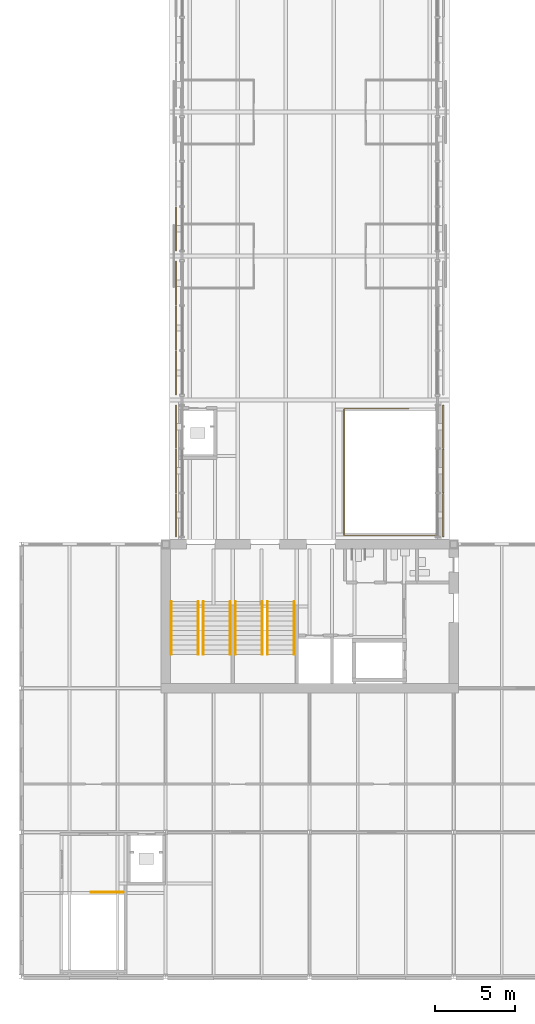
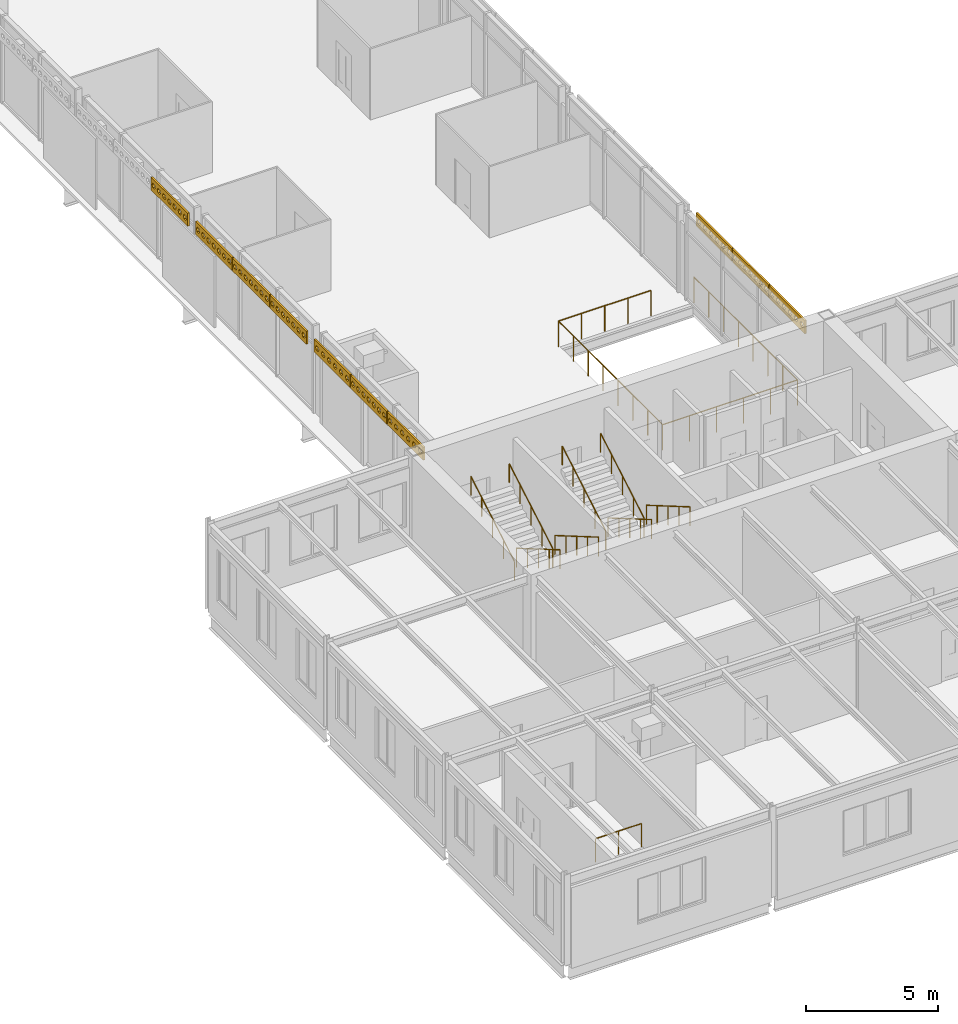
# One storey, part 100 of 123: 10 railings, 10 shading devices.
"""IFC4 building model written with IfcOpenShell, lengths in metres."""

from ifc_helpers import new_model, si_unit, direction, frame, origin, origin_2d, place, context, subcontext, project, spatial, polyline, circle, outline, extrude, material, layer, layer_set, type_object, element, save


model = new_model("IFC4")

# Units and contexts
model_context = context("Model", 3, precision=1e-05, world=origin(), true_north=direction((0.0, 1.0)))
body_context = subcontext(model_context, "Body", "Model", "MODEL_VIEW")
ifc_project = project(units=[si_unit("LENGTHUNIT", "METRE"), si_unit("AREAUNIT", "SQUARE_METRE"), si_unit("VOLUMEUNIT", "CUBIC_METRE"), si_unit("PLANEANGLEUNIT", "RADIAN"), si_unit("MASSUNIT", "GRAM", prefix="KILO")], contexts=[model_context])

# Site, building, storey
site_placement = place(None, origin())
site = spatial("IfcSite", under=ifc_project, at=site_placement, CompositionType="ELEMENT")
building_placement = place(site_placement, origin())
building = spatial("IfcBuilding", under=site, at=building_placement, Name="Baradari Gate Terminus", CompositionType="ELEMENT")
storey_placement = place(building_placement, frame((0.0, 0.0, 7.5)))
storey = spatial("IfcBuildingStorey", under=building, at=storey_placement, Name="L01", CompositionType="ELEMENT", Elevation=7.5)

# Railings
ifc_material_1 = material(Name="Stainless steel 1.4301", Category="steel")
railing_type_1 = type_object("IfcRailingType", Name="Guard GR-1 1100", PredefinedType="GUARDRAIL", material=ifc_material_1)
railing_1_placement = place(storey_placement, frame((69.35009765625, 14.25, 0.0)))
element("IfcRailing", 1, at=railing_1_placement, inside=storey, type_object=railing_type_1, Name="Stair guard ST-SW1 at L01 top landing", PredefinedType="GUARDRAIL", context=body_context, shape_type="SweptSolid", body=[
    extrude(circle(Radius=0.02392578125, at=origin_2d()), frame((0.0, 0.0, 1.076171875), z_axis=(-1.0, 0.0, 0.0), x_axis=(0.0, -1.0, 0.0)), (0.0, 0.0, 1.0), 2.010009765625),
    extrude(circle(Radius=0.02099609375, at=origin_2d()), origin(), (0.0, 0.0, 1.0), 1.052001953125),
    extrude(circle(Radius=0.02099609375, at=origin_2d()), frame((-1.0048828125, 0.0, 0.0)), (0.0, 0.0, 1.0), 1.052001953125),
    extrude(circle(Radius=0.02099609375, at=origin_2d()), frame((-2.010009765625, 0.0, 0.0)), (0.0, 0.0, 1.0), 1.052001953125),
])
ifc_material_2 = material(Name="Stainless steel 1.4301", Category="steel")
railing_type_2 = type_object("IfcRailingType", Name="Guard GR-2 1200", PredefinedType="GUARDRAIL", material=ifc_material_2)
railing_2_placement = place(storey_placement, frame((89.050048828125, 44.39990234375, 0.0)))
element("IfcRailing", 2, at=railing_2_placement, inside=storey, type_object=railing_type_2, Name="Guard round the stair opening PS-1 at L01", PredefinedType="GUARDRAIL", context=body_context, shape_type="SweptSolid", body=[
    extrude(circle(Radius=0.02392578125, at=origin_2d()), frame((0.0, 0.0, 1.17578125), z_axis=(0.0, -1.0, 0.0), x_axis=(1.0, 0.0, 0.0)), (0.0, 0.0, 1.0), 7.849853515625),
    extrude(circle(Radius=0.02392578125, at=origin_2d()), frame((0.0, -7.849853515625, 1.17578125), z_axis=(-1.0, 0.0, 0.0), x_axis=(0.0, -1.0, 0.0)), (0.0, 0.0, 1.0), 5.900146484375),
    extrude(circle(Radius=0.02392578125, at=origin_2d()), frame((-5.900146484375, -7.849853515625, 1.17578125), z_axis=(0.0, 1.0, 0.0), x_axis=(-1.0, 0.0, 0.0)), (0.0, 0.0, 1.0), 7.89990234375),
    extrude(circle(Radius=0.02392578125, at=origin_2d()), frame((-5.900146484375, 0.050048828125, 1.17578125), z_axis=(1.0, 0.0, 0.0), x_axis=(0.0, 1.0, 0.0)), (0.0, 0.0, 1.0), 4.050048828125),
    extrude(circle(Radius=0.02099609375, at=origin_2d()), origin(), (0.0, 0.0, 1.0), 1.15185546875),
    extrude(circle(Radius=0.02099609375, at=origin_2d()), frame((0.0, -1.121337890625, 0.0)), (0.0, 0.0, 1.0), 1.15185546875),
    extrude(circle(Radius=0.02099609375, at=origin_2d()), frame((0.0, -2.242919921875, 0.0)), (0.0, 0.0, 1.0), 1.15185546875),
    extrude(circle(Radius=0.02099609375, at=origin_2d()), frame((0.0, -3.3642578125, 0.0)), (0.0, 0.0, 1.0), 1.15185546875),
    extrude(circle(Radius=0.02099609375, at=origin_2d()), frame((0.0, -4.485595703125, 0.0)), (0.0, 0.0, 1.0), 1.15185546875),
    extrude(circle(Radius=0.02099609375, at=origin_2d()), frame((0.0, -5.60693359375, 0.0)), (0.0, 0.0, 1.0), 1.15185546875),
    extrude(circle(Radius=0.02099609375, at=origin_2d()), frame((0.0, -6.728515625, 0.0)), (0.0, 0.0, 1.0), 1.15185546875),
    extrude(circle(Radius=0.02099609375, at=origin_2d()), frame((0.0, -7.849853515625, 0.0)), (0.0, 0.0, 1.0), 1.15185546875),
    extrude(circle(Radius=0.02099609375, at=origin_2d()), frame((-1.179931640625, -7.849853515625, 0.0)), (0.0, 0.0, 1.0), 1.15185546875),
    extrude(circle(Radius=0.02099609375, at=origin_2d()), frame((-2.360107421875, -7.849853515625, 0.0)), (0.0, 0.0, 1.0), 1.15185546875),
    extrude(circle(Radius=0.02099609375, at=origin_2d()), frame((-3.5400390625, -7.849853515625, 0.0)), (0.0, 0.0, 1.0), 1.15185546875),
    extrude(circle(Radius=0.02099609375, at=origin_2d()), frame((-4.72021484375, -7.849853515625, 0.0)), (0.0, 0.0, 1.0), 1.15185546875),
    extrude(circle(Radius=0.02099609375, at=origin_2d()), frame((-5.900146484375, -7.849853515625, 0.0)), (0.0, 0.0, 1.0), 1.15185546875),
    extrude(circle(Radius=0.02099609375, at=origin_2d()), frame((-5.900146484375, -6.72119140625, 0.0)), (0.0, 0.0, 1.0), 1.15185546875),
    extrude(circle(Radius=0.02099609375, at=origin_2d()), frame((-5.900146484375, -5.5927734375, 0.0)), (0.0, 0.0, 1.0), 1.15185546875),
    extrude(circle(Radius=0.02099609375, at=origin_2d()), frame((-5.900146484375, -4.464111328125, 0.0)), (0.0, 0.0, 1.0), 1.15185546875),
    extrude(circle(Radius=0.02099609375, at=origin_2d()), frame((-5.900146484375, -3.335693359375, 0.0)), (0.0, 0.0, 1.0), 1.15185546875),
    extrude(circle(Radius=0.02099609375, at=origin_2d()), frame((-5.900146484375, -2.20703125, 0.0)), (0.0, 0.0, 1.0), 1.15185546875),
    extrude(circle(Radius=0.02099609375, at=origin_2d()), frame((-5.900146484375, -1.07861328125, 0.0)), (0.0, 0.0, 1.0), 1.15185546875),
    extrude(circle(Radius=0.02099609375, at=origin_2d()), frame((-5.900146484375, 0.050048828125, 0.0)), (0.0, 0.0, 1.0), 1.15185546875),
    extrude(circle(Radius=0.02099609375, at=origin_2d()), frame((-4.8876953125, 0.050048828125, 0.0)), (0.0, 0.0, 1.0), 1.15185546875),
    extrude(circle(Radius=0.02099609375, at=origin_2d()), frame((-3.875, 0.050048828125, 0.0)), (0.0, 0.0, 1.0), 1.15185546875),
    extrude(circle(Radius=0.02099609375, at=origin_2d()), frame((-2.862548828125, 0.050048828125, 0.0)), (0.0, 0.0, 1.0), 1.15185546875),
    extrude(circle(Radius=0.02099609375, at=origin_2d()), frame((-1.85009765625, 0.050048828125, 0.0)), (0.0, 0.0, 1.0), 1.15185546875),
])
ifc_material_3 = material(Name="Stainless steel 1.4301", Category="steel")
railing_type_3 = type_object("IfcRailingType", Name="Handrail HR-1 900", PredefinedType="HANDRAIL", material=ifc_material_3)
for number, where, name in (
    (3, (76.0400390625, 32.39990234375, 0.175048828125), "Handrail ST-GS1 L01 flight 1"),
    (4, (74.360107421875, 32.39990234375, 0.175048828125), "Handrail ST-GS1 L01 flight 1"),
):
    element("IfcRailing", number, at=place(storey_placement, frame(where)), inside=storey, type_object=railing_type_3, Name=name, PredefinedType="HANDRAIL", context=body_context, shape_type="SweptSolid", body=[
        extrude(circle(Radius=0.02392578125, at=origin_2d()), frame((0.0, 0.0, 0.8759765625), z_axis=(0.0, -0.863760357493, 0.503902812876), x_axis=(1.0, 0.0, 0.0)), (0.0, 0.0, 1.0), 3.8203125),
        extrude(circle(Radius=0.02099609375, at=origin_2d()), origin(), (0.0, 0.0, 1.0), 0.851806640625),
        extrude(circle(Radius=0.02099609375, at=origin_2d()), frame((0.0, -0.824951171875, 0.481201171875)), (0.0, 0.0, 1.0), 0.851806640625),
        extrude(circle(Radius=0.02099609375, at=origin_2d()), frame((0.0, -1.64990234375, 0.96240234375)), (0.0, 0.0, 1.0), 0.851806640625),
        extrude(circle(Radius=0.02099609375, at=origin_2d()), frame((0.0, -2.474853515625, 1.44384765625)), (0.0, 0.0, 1.0), 0.851806640625),
        extrude(circle(Radius=0.02099609375, at=origin_2d()), frame((0.0, -3.2998046875, 1.925048828125)), (0.0, 0.0, 1.0), 0.851806640625),
    ])
for number, where, name in (
    (5, (74.0400390625, 29.10009765625, 2.27490234375), "Handrail ST-GS1 L01 flight 2"),
    (6, (72.360107421875, 29.10009765625, 2.27490234375), "Handrail ST-GS1 L01 flight 2"),
):
    element("IfcRailing", number, at=place(storey_placement, frame(where)), inside=storey, type_object=railing_type_3, Name=name, PredefinedType="HANDRAIL", context=body_context, shape_type="SweptSolid", body=[
        extrude(circle(Radius=0.02392578125, at=origin_2d()), frame((0.0, 0.0, 0.8759765625), z_axis=(0.0, 0.863760357493, 0.503902812876), x_axis=(-1.0, 0.0, 0.0)), (0.0, 0.0, 1.0), 3.8203125),
        extrude(circle(Radius=0.02099609375, at=origin_2d()), origin(), (0.0, 0.0, 1.0), 0.851806640625),
        extrude(circle(Radius=0.02099609375, at=origin_2d()), frame((0.0, 0.824951171875, 0.481201171875)), (0.0, 0.0, 1.0), 0.851806640625),
        extrude(circle(Radius=0.02099609375, at=origin_2d()), frame((0.0, 1.64990234375, 0.96240234375)), (0.0, 0.0, 1.0), 0.851806640625),
        extrude(circle(Radius=0.02099609375, at=origin_2d()), frame((0.0, 2.474853515625, 1.44384765625)), (0.0, 0.0, 1.0), 0.851806640625),
        extrude(circle(Radius=0.02099609375, at=origin_2d()), frame((0.0, 3.2998046875, 1.925048828125)), (0.0, 0.0, 1.0), 0.851806640625),
    ])
for number, where, name in (
    (7, (80.0400390625, 32.39990234375, 0.175048828125), "Handrail ST-GS2 L01 flight 1"),
    (8, (78.360107421875, 32.39990234375, 0.175048828125), "Handrail ST-GS2 L01 flight 1"),
):
    element("IfcRailing", number, at=place(storey_placement, frame(where)), inside=storey, type_object=railing_type_3, Name=name, PredefinedType="HANDRAIL", context=body_context, shape_type="SweptSolid", body=[
        extrude(circle(Radius=0.02392578125, at=origin_2d()), frame((0.0, 0.0, 0.8759765625), z_axis=(0.0, -0.863760357493, 0.503902812876), x_axis=(1.0, 0.0, 0.0)), (0.0, 0.0, 1.0), 3.8203125),
        extrude(circle(Radius=0.02099609375, at=origin_2d()), origin(), (0.0, 0.0, 1.0), 0.851806640625),
        extrude(circle(Radius=0.02099609375, at=origin_2d()), frame((0.0, -0.824951171875, 0.481201171875)), (0.0, 0.0, 1.0), 0.851806640625),
        extrude(circle(Radius=0.02099609375, at=origin_2d()), frame((0.0, -1.64990234375, 0.96240234375)), (0.0, 0.0, 1.0), 0.851806640625),
        extrude(circle(Radius=0.02099609375, at=origin_2d()), frame((0.0, -2.474853515625, 1.44384765625)), (0.0, 0.0, 1.0), 0.851806640625),
        extrude(circle(Radius=0.02099609375, at=origin_2d()), frame((0.0, -3.2998046875, 1.925048828125)), (0.0, 0.0, 1.0), 0.851806640625),
    ])
for number, where, name in (
    (9, (78.0400390625, 29.10009765625, 2.27490234375), "Handrail ST-GS2 L01 flight 2"),
    (10, (76.360107421875, 29.10009765625, 2.27490234375), "Handrail ST-GS2 L01 flight 2"),
):
    element("IfcRailing", number, at=place(storey_placement, frame(where)), inside=storey, type_object=railing_type_3, Name=name, PredefinedType="HANDRAIL", context=body_context, shape_type="SweptSolid", body=[
        extrude(circle(Radius=0.02392578125, at=origin_2d()), frame((0.0, 0.0, 0.8759765625), z_axis=(0.0, 0.863760357493, 0.503902812876), x_axis=(-1.0, 0.0, 0.0)), (0.0, 0.0, 1.0), 3.8203125),
        extrude(circle(Radius=0.02099609375, at=origin_2d()), origin(), (0.0, 0.0, 1.0), 0.851806640625),
        extrude(circle(Radius=0.02099609375, at=origin_2d()), frame((0.0, 0.824951171875, 0.481201171875)), (0.0, 0.0, 1.0), 0.851806640625),
        extrude(circle(Radius=0.02099609375, at=origin_2d()), frame((0.0, 1.64990234375, 0.96240234375)), (0.0, 0.0, 1.0), 0.851806640625),
        extrude(circle(Radius=0.02099609375, at=origin_2d()), frame((0.0, 2.474853515625, 1.44384765625)), (0.0, 0.0, 1.0), 0.851806640625),
        extrude(circle(Radius=0.02099609375, at=origin_2d()), frame((0.0, 3.2998046875, 1.925048828125)), (0.0, 0.0, 1.0), 0.851806640625),
    ])

# Shading devices
ifc_material_4 = material(Name="Concrete C50/60 precast", Category="concrete")
ifc_layer = layer(ifc_material_4, 0.080078125)
ifc_layer_set = layer_set([ifc_layer], Name="Concrete C50/60 precast")
shading_device_type = type_object("IfcShadingDeviceType", Name="Jali screen panel JS-3 80", PredefinedType="SHUTTER", material=ifc_layer_set)
shading_device_1_placement = place(storey_placement, frame((72.6474609375, 36.449951171875, 3.27490234375), z_axis=(0.0, 0.0, 1.0), x_axis=(0.0, 1.0, 0.0)))
element("IfcShadingDevice", 11, at=shading_device_1_placement, inside=storey, type_object=shading_device_type, Name="Jali screen panel JS-1 L01/GW1 bay 1", PredefinedType="SHUTTER", context=body_context, shape_type="SweptSolid", body=[
    extrude(outline(polyline([(0.0, 0.0), (2.71337890625, 0.0), (2.71337890625, 0.60009765625), (0.0, 0.60009765625), (0.0, 0.0)]), holes=[polyline([(0.356201171875, 0.300048828125), (0.291015625, 0.1875), (0.1611328125, 0.1875), (0.09619140625, 0.300048828125), (0.1611328125, 0.41259765625), (0.291015625, 0.41259765625), (0.356201171875, 0.300048828125)]), polyline([(0.808349609375, 0.300048828125), (0.743408203125, 0.1875), (0.61328125, 0.1875), (0.54833984375, 0.300048828125), (0.61328125, 0.41259765625), (0.743408203125, 0.41259765625), (0.808349609375, 0.300048828125)]), polyline([(1.260498046875, 0.300048828125), (1.195556640625, 0.1875), (1.065673828125, 0.1875), (1.00048828125, 0.300048828125), (1.065673828125, 0.41259765625), (1.195556640625, 0.41259765625), (1.260498046875, 0.300048828125)]), polyline([(1.712890625, 0.300048828125), (1.647705078125, 0.1875), (1.517822265625, 0.1875), (1.452880859375, 0.300048828125), (1.517822265625, 0.41259765625), (1.647705078125, 0.41259765625), (1.712890625, 0.300048828125)]), polyline([(2.1650390625, 0.300048828125), (2.10009765625, 0.1875), (1.969970703125, 0.1875), (1.905029296875, 0.300048828125), (1.969970703125, 0.41259765625), (2.10009765625, 0.41259765625), (2.1650390625, 0.300048828125)]), polyline([(2.6171875, 0.300048828125), (2.55224609375, 0.1875), (2.422119140625, 0.1875), (2.357177734375, 0.300048828125), (2.422119140625, 0.41259765625), (2.55224609375, 0.41259765625), (2.6171875, 0.300048828125)])]), frame((0.0, 0.0400390625, 0.0), z_axis=(0.0, -1.0, 0.0), x_axis=(1.0, 0.0, 0.0)), (0.0, 0.0, 1.0), 0.080078125),
])
shading_device_2_placement = place(storey_placement, frame((72.6474609375, 39.203369140625, 3.27490234375), z_axis=(0.0, 0.0, 1.0), x_axis=(0.0, 1.0, 0.0)))
element("IfcShadingDevice", 12, at=shading_device_2_placement, inside=storey, type_object=shading_device_type, Name="Jali screen panel JS-1 L01/GW1 bay 2", PredefinedType="SHUTTER", context=body_context, shape_type="SweptSolid", body=[
    extrude(outline(polyline([(0.0, 0.0), (2.743408203125, 0.0), (2.743408203125, 0.60009765625), (0.0, 0.60009765625), (0.0, 0.0)]), holes=[polyline([(0.325927734375, 0.300048828125), (0.260986328125, 0.1875), (0.130859375, 0.1875), (0.06591796875, 0.300048828125), (0.130859375, 0.41259765625), (0.260986328125, 0.41259765625), (0.325927734375, 0.300048828125)]), polyline([(0.7177734375, 0.300048828125), (0.65283203125, 0.1875), (0.52294921875, 0.1875), (0.457763671875, 0.300048828125), (0.52294921875, 0.41259765625), (0.65283203125, 0.41259765625), (0.7177734375, 0.300048828125)]), polyline([(1.10986328125, 0.300048828125), (1.044677734375, 0.1875), (0.914794921875, 0.1875), (0.849853515625, 0.300048828125), (0.914794921875, 0.41259765625), (1.044677734375, 0.41259765625), (1.10986328125, 0.300048828125)]), polyline([(1.501708984375, 0.300048828125), (1.436767578125, 0.1875), (1.306640625, 0.1875), (1.24169921875, 0.300048828125), (1.306640625, 0.41259765625), (1.436767578125, 0.41259765625), (1.501708984375, 0.300048828125)]), polyline([(1.8935546875, 0.300048828125), (1.82861328125, 0.1875), (1.698486328125, 0.1875), (1.633544921875, 0.300048828125), (1.698486328125, 0.41259765625), (1.82861328125, 0.41259765625), (1.8935546875, 0.300048828125)]), polyline([(2.285400390625, 0.300048828125), (2.220458984375, 0.1875), (2.090576171875, 0.1875), (2.025390625, 0.300048828125), (2.090576171875, 0.41259765625), (2.220458984375, 0.41259765625), (2.285400390625, 0.300048828125)]), polyline([(2.677490234375, 0.300048828125), (2.6123046875, 0.1875), (2.482421875, 0.1875), (2.41748046875, 0.300048828125), (2.482421875, 0.41259765625), (2.6123046875, 0.41259765625), (2.677490234375, 0.300048828125)])]), frame((0.0, 0.0400390625, 0.0), z_axis=(0.0, -1.0, 0.0), x_axis=(1.0, 0.0, 0.0)), (0.0, 0.0, 1.0), 0.080078125),
])
shading_device_3_placement = place(storey_placement, frame((72.6474609375, 41.986572265625, 3.27490234375), z_axis=(0.0, 0.0, 1.0), x_axis=(0.0, 1.0, 0.0)))
element("IfcShadingDevice", 13, at=shading_device_3_placement, inside=storey, type_object=shading_device_type, Name="Jali screen panel JS-1 L01/GW1 bay 3", PredefinedType="SHUTTER", context=body_context, shape_type="SweptSolid", body=[
    extrude(outline(polyline([(0.0, 0.0), (2.71337890625, 0.0), (2.71337890625, 0.60009765625), (0.0, 0.60009765625), (0.0, 0.0)]), holes=[polyline([(0.356201171875, 0.300048828125), (0.291015625, 0.1875), (0.1611328125, 0.1875), (0.09619140625, 0.300048828125), (0.1611328125, 0.41259765625), (0.291015625, 0.41259765625), (0.356201171875, 0.300048828125)]), polyline([(0.808349609375, 0.300048828125), (0.743408203125, 0.1875), (0.61328125, 0.1875), (0.54833984375, 0.300048828125), (0.61328125, 0.41259765625), (0.743408203125, 0.41259765625), (0.808349609375, 0.300048828125)]), polyline([(1.260498046875, 0.300048828125), (1.195556640625, 0.1875), (1.065673828125, 0.1875), (1.00048828125, 0.300048828125), (1.065673828125, 0.41259765625), (1.195556640625, 0.41259765625), (1.260498046875, 0.300048828125)]), polyline([(1.712890625, 0.300048828125), (1.647705078125, 0.1875), (1.517822265625, 0.1875), (1.452880859375, 0.300048828125), (1.517822265625, 0.41259765625), (1.647705078125, 0.41259765625), (1.712890625, 0.300048828125)]), polyline([(2.1650390625, 0.300048828125), (2.10009765625, 0.1875), (1.969970703125, 0.1875), (1.905029296875, 0.300048828125), (1.969970703125, 0.41259765625), (2.10009765625, 0.41259765625), (2.1650390625, 0.300048828125)]), polyline([(2.6171875, 0.300048828125), (2.55224609375, 0.1875), (2.422119140625, 0.1875), (2.357177734375, 0.300048828125), (2.422119140625, 0.41259765625), (2.55224609375, 0.41259765625), (2.6171875, 0.300048828125)])]), frame((0.0, 0.0400390625, 0.0), z_axis=(0.0, -1.0, 0.0), x_axis=(1.0, 0.0, 0.0)), (0.0, 0.0, 1.0), 0.080078125),
])
shading_device_4_placement = place(storey_placement, frame((72.6474609375, 45.300048828125, 3.27490234375), z_axis=(0.0, 0.0, 1.0), x_axis=(0.0, 1.0, 0.0)))
element("IfcShadingDevice", 14, at=shading_device_4_placement, inside=storey, type_object=shading_device_type, Name="Jali screen panel JS-1 L01/GW2 bay 1", PredefinedType="SHUTTER", context=body_context, shape_type="SweptSolid", body=[
    extrude(outline(polyline([(0.0, 0.0), (2.76318359375, 0.0), (2.76318359375, 0.60009765625), (0.0, 0.60009765625), (0.0, 0.0)]), holes=[polyline([(0.327392578125, 0.300048828125), (0.262451171875, 0.1875), (0.13232421875, 0.1875), (0.0673828125, 0.300048828125), (0.13232421875, 0.41259765625), (0.262451171875, 0.41259765625), (0.327392578125, 0.300048828125)]), polyline([(0.72216796875, 0.300048828125), (0.6572265625, 0.1875), (0.527099609375, 0.1875), (0.462158203125, 0.300048828125), (0.527099609375, 0.41259765625), (0.6572265625, 0.41259765625), (0.72216796875, 0.300048828125)]), polyline([(1.116943359375, 0.300048828125), (1.052001953125, 0.1875), (0.921875, 0.1875), (0.85693359375, 0.300048828125), (0.921875, 0.41259765625), (1.052001953125, 0.41259765625), (1.116943359375, 0.300048828125)]), polyline([(1.51171875, 0.300048828125), (1.44677734375, 0.1875), (1.316650390625, 0.1875), (1.251708984375, 0.300048828125), (1.316650390625, 0.41259765625), (1.44677734375, 0.41259765625), (1.51171875, 0.300048828125)]), polyline([(1.906494140625, 0.300048828125), (1.84130859375, 0.1875), (1.71142578125, 0.1875), (1.646484375, 0.300048828125), (1.71142578125, 0.41259765625), (1.84130859375, 0.41259765625), (1.906494140625, 0.300048828125)]), polyline([(2.30126953125, 0.300048828125), (2.236083984375, 0.1875), (2.106201171875, 0.1875), (2.041259765625, 0.300048828125), (2.106201171875, 0.41259765625), (2.236083984375, 0.41259765625), (2.30126953125, 0.300048828125)]), polyline([(2.696044921875, 0.300048828125), (2.630859375, 0.1875), (2.5009765625, 0.1875), (2.43603515625, 0.300048828125), (2.5009765625, 0.41259765625), (2.630859375, 0.41259765625), (2.696044921875, 0.300048828125)])]), frame((0.0, 0.0400390625, 0.0), z_axis=(0.0, -1.0, 0.0), x_axis=(1.0, 0.0, 0.0)), (0.0, 0.0, 1.0), 0.080078125),
])
shading_device_5_placement = place(storey_placement, frame((72.6474609375, 48.103271484375, 3.27490234375), z_axis=(0.0, 0.0, 1.0), x_axis=(0.0, 1.0, 0.0)))
element("IfcShadingDevice", 15, at=shading_device_5_placement, inside=storey, type_object=shading_device_type, Name="Jali screen panel JS-1 L01/GW2 bay 2", PredefinedType="SHUTTER", context=body_context, shape_type="SweptSolid", body=[
    extrude(outline(polyline([(0.0, 0.0), (2.79345703125, 0.0), (2.79345703125, 0.60009765625), (0.0, 0.60009765625), (0.0, 0.0)]), holes=[polyline([(0.32958984375, 0.300048828125), (0.264404296875, 0.1875), (0.134521484375, 0.1875), (0.069580078125, 0.300048828125), (0.134521484375, 0.41259765625), (0.264404296875, 0.41259765625), (0.32958984375, 0.300048828125)]), polyline([(0.728515625, 0.300048828125), (0.66357421875, 0.1875), (0.53369140625, 0.1875), (0.468505859375, 0.300048828125), (0.53369140625, 0.41259765625), (0.66357421875, 0.41259765625), (0.728515625, 0.300048828125)]), polyline([(1.127685546875, 0.300048828125), (1.0625, 0.1875), (0.9326171875, 0.1875), (0.86767578125, 0.300048828125), (0.9326171875, 0.41259765625), (1.0625, 0.41259765625), (1.127685546875, 0.300048828125)]), polyline([(1.526611328125, 0.300048828125), (1.461669921875, 0.1875), (1.331787109375, 0.1875), (1.2666015625, 0.300048828125), (1.331787109375, 0.41259765625), (1.461669921875, 0.41259765625), (1.526611328125, 0.300048828125)]), polyline([(1.92578125, 0.300048828125), (1.860595703125, 0.1875), (1.730712890625, 0.1875), (1.665771484375, 0.300048828125), (1.730712890625, 0.41259765625), (1.860595703125, 0.41259765625), (1.92578125, 0.300048828125)]), polyline([(2.32470703125, 0.300048828125), (2.259765625, 0.1875), (2.1298828125, 0.1875), (2.064697265625, 0.300048828125), (2.1298828125, 0.41259765625), (2.259765625, 0.41259765625), (2.32470703125, 0.300048828125)]), polyline([(2.723876953125, 0.300048828125), (2.65869140625, 0.1875), (2.52880859375, 0.1875), (2.4638671875, 0.300048828125), (2.52880859375, 0.41259765625), (2.65869140625, 0.41259765625), (2.723876953125, 0.300048828125)])]), frame((0.0, 0.0400390625, 0.0), z_axis=(0.0, -1.0, 0.0), x_axis=(1.0, 0.0, 0.0)), (0.0, 0.0, 1.0), 0.080078125),
])
shading_device_6_placement = place(storey_placement, frame((72.6474609375, 50.936767578125, 3.27490234375), z_axis=(0.0, 0.0, 1.0), x_axis=(0.0, 1.0, 0.0)))
element("IfcShadingDevice", 16, at=shading_device_6_placement, inside=storey, type_object=shading_device_type, Name="Jali screen panel JS-1 L01/GW2 bay 3", PredefinedType="SHUTTER", context=body_context, shape_type="SweptSolid", body=[
    extrude(outline(polyline([(0.0, 0.0), (2.76318359375, 0.0), (2.76318359375, 0.60009765625), (0.0, 0.60009765625), (0.0, 0.0)]), holes=[polyline([(0.327392578125, 0.300048828125), (0.262451171875, 0.1875), (0.13232421875, 0.1875), (0.0673828125, 0.300048828125), (0.13232421875, 0.41259765625), (0.262451171875, 0.41259765625), (0.327392578125, 0.300048828125)]), polyline([(0.72216796875, 0.300048828125), (0.6572265625, 0.1875), (0.527099609375, 0.1875), (0.462158203125, 0.300048828125), (0.527099609375, 0.41259765625), (0.6572265625, 0.41259765625), (0.72216796875, 0.300048828125)]), polyline([(1.116943359375, 0.300048828125), (1.052001953125, 0.1875), (0.921875, 0.1875), (0.85693359375, 0.300048828125), (0.921875, 0.41259765625), (1.052001953125, 0.41259765625), (1.116943359375, 0.300048828125)]), polyline([(1.51171875, 0.300048828125), (1.44677734375, 0.1875), (1.316650390625, 0.1875), (1.251708984375, 0.300048828125), (1.316650390625, 0.41259765625), (1.44677734375, 0.41259765625), (1.51171875, 0.300048828125)]), polyline([(1.906494140625, 0.300048828125), (1.84130859375, 0.1875), (1.71142578125, 0.1875), (1.646484375, 0.300048828125), (1.71142578125, 0.41259765625), (1.84130859375, 0.41259765625), (1.906494140625, 0.300048828125)]), polyline([(2.30126953125, 0.300048828125), (2.236083984375, 0.1875), (2.106201171875, 0.1875), (2.041259765625, 0.300048828125), (2.106201171875, 0.41259765625), (2.236083984375, 0.41259765625), (2.30126953125, 0.300048828125)]), polyline([(2.696044921875, 0.300048828125), (2.630859375, 0.1875), (2.5009765625, 0.1875), (2.43603515625, 0.300048828125), (2.5009765625, 0.41259765625), (2.630859375, 0.41259765625), (2.696044921875, 0.300048828125)])]), frame((0.0, 0.0400390625, 0.0), z_axis=(0.0, -1.0, 0.0), x_axis=(1.0, 0.0, 0.0)), (0.0, 0.0, 1.0), 0.080078125),
])
shading_device_7_placement = place(storey_placement, frame((72.6474609375, 54.300048828125, 3.27490234375), z_axis=(0.0, 0.0, 1.0), x_axis=(0.0, 1.0, 0.0)))
element("IfcShadingDevice", 17, at=shading_device_7_placement, inside=storey, type_object=shading_device_type, Name="Jali screen panel JS-1 L01/GW3 bay 1", PredefinedType="SHUTTER", context=body_context, shape_type="SweptSolid", body=[
    extrude(outline(polyline([(0.0, 0.0), (2.76318359375, 0.0), (2.76318359375, 0.60009765625), (0.0, 0.60009765625), (0.0, 0.0)]), holes=[polyline([(0.327392578125, 0.300048828125), (0.262451171875, 0.1875), (0.13232421875, 0.1875), (0.0673828125, 0.300048828125), (0.13232421875, 0.41259765625), (0.262451171875, 0.41259765625), (0.327392578125, 0.300048828125)]), polyline([(0.72216796875, 0.300048828125), (0.6572265625, 0.1875), (0.527099609375, 0.1875), (0.462158203125, 0.300048828125), (0.527099609375, 0.41259765625), (0.6572265625, 0.41259765625), (0.72216796875, 0.300048828125)]), polyline([(1.116943359375, 0.300048828125), (1.052001953125, 0.1875), (0.921875, 0.1875), (0.85693359375, 0.300048828125), (0.921875, 0.41259765625), (1.052001953125, 0.41259765625), (1.116943359375, 0.300048828125)]), polyline([(1.51171875, 0.300048828125), (1.44677734375, 0.1875), (1.316650390625, 0.1875), (1.251708984375, 0.300048828125), (1.316650390625, 0.41259765625), (1.44677734375, 0.41259765625), (1.51171875, 0.300048828125)]), polyline([(1.906494140625, 0.300048828125), (1.84130859375, 0.1875), (1.71142578125, 0.1875), (1.646484375, 0.300048828125), (1.71142578125, 0.41259765625), (1.84130859375, 0.41259765625), (1.906494140625, 0.300048828125)]), polyline([(2.30126953125, 0.300048828125), (2.236083984375, 0.1875), (2.106201171875, 0.1875), (2.041259765625, 0.300048828125), (2.106201171875, 0.41259765625), (2.236083984375, 0.41259765625), (2.30126953125, 0.300048828125)]), polyline([(2.696044921875, 0.300048828125), (2.630859375, 0.1875), (2.5009765625, 0.1875), (2.43603515625, 0.300048828125), (2.5009765625, 0.41259765625), (2.630859375, 0.41259765625), (2.696044921875, 0.300048828125)])]), frame((0.0, 0.0400390625, 0.0), z_axis=(0.0, -1.0, 0.0), x_axis=(1.0, 0.0, 0.0)), (0.0, 0.0, 1.0), 0.080078125),
])
shading_device_8_placement = place(storey_placement, frame((89.3525390625, 36.449951171875, 3.27490234375), z_axis=(0.0, 0.0, 1.0), x_axis=(0.0, 1.0, 0.0)))
element("IfcShadingDevice", 18, at=shading_device_8_placement, inside=storey, type_object=shading_device_type, Name="Jali screen panel JS-1 L01/GE1 bay 1", PredefinedType="SHUTTER", context=body_context, shape_type="SweptSolid", body=[
    extrude(outline(polyline([(0.0, 0.0), (2.71337890625, 0.0), (2.71337890625, 0.60009765625), (0.0, 0.60009765625), (0.0, 0.0)]), holes=[polyline([(0.356201171875, 0.300048828125), (0.291015625, 0.1875), (0.1611328125, 0.1875), (0.09619140625, 0.300048828125), (0.1611328125, 0.41259765625), (0.291015625, 0.41259765625), (0.356201171875, 0.300048828125)]), polyline([(0.808349609375, 0.300048828125), (0.743408203125, 0.1875), (0.61328125, 0.1875), (0.54833984375, 0.300048828125), (0.61328125, 0.41259765625), (0.743408203125, 0.41259765625), (0.808349609375, 0.300048828125)]), polyline([(1.260498046875, 0.300048828125), (1.195556640625, 0.1875), (1.065673828125, 0.1875), (1.00048828125, 0.300048828125), (1.065673828125, 0.41259765625), (1.195556640625, 0.41259765625), (1.260498046875, 0.300048828125)]), polyline([(1.712890625, 0.300048828125), (1.647705078125, 0.1875), (1.517822265625, 0.1875), (1.452880859375, 0.300048828125), (1.517822265625, 0.41259765625), (1.647705078125, 0.41259765625), (1.712890625, 0.300048828125)]), polyline([(2.1650390625, 0.300048828125), (2.10009765625, 0.1875), (1.969970703125, 0.1875), (1.905029296875, 0.300048828125), (1.969970703125, 0.41259765625), (2.10009765625, 0.41259765625), (2.1650390625, 0.300048828125)]), polyline([(2.6171875, 0.300048828125), (2.55224609375, 0.1875), (2.422119140625, 0.1875), (2.357177734375, 0.300048828125), (2.422119140625, 0.41259765625), (2.55224609375, 0.41259765625), (2.6171875, 0.300048828125)])]), frame((0.0, 0.0400390625, 0.0), z_axis=(0.0, -1.0, 0.0), x_axis=(1.0, 0.0, 0.0)), (0.0, 0.0, 1.0), 0.080078125),
])
shading_device_9_placement = place(storey_placement, frame((89.3525390625, 39.203369140625, 3.27490234375), z_axis=(0.0, 0.0, 1.0), x_axis=(0.0, 1.0, 0.0)))
element("IfcShadingDevice", 19, at=shading_device_9_placement, inside=storey, type_object=shading_device_type, Name="Jali screen panel JS-1 L01/GE1 bay 2", PredefinedType="SHUTTER", context=body_context, shape_type="SweptSolid", body=[
    extrude(outline(polyline([(0.0, 0.0), (2.743408203125, 0.0), (2.743408203125, 0.60009765625), (0.0, 0.60009765625), (0.0, 0.0)]), holes=[polyline([(0.325927734375, 0.300048828125), (0.260986328125, 0.1875), (0.130859375, 0.1875), (0.06591796875, 0.300048828125), (0.130859375, 0.41259765625), (0.260986328125, 0.41259765625), (0.325927734375, 0.300048828125)]), polyline([(0.7177734375, 0.300048828125), (0.65283203125, 0.1875), (0.52294921875, 0.1875), (0.457763671875, 0.300048828125), (0.52294921875, 0.41259765625), (0.65283203125, 0.41259765625), (0.7177734375, 0.300048828125)]), polyline([(1.10986328125, 0.300048828125), (1.044677734375, 0.1875), (0.914794921875, 0.1875), (0.849853515625, 0.300048828125), (0.914794921875, 0.41259765625), (1.044677734375, 0.41259765625), (1.10986328125, 0.300048828125)]), polyline([(1.501708984375, 0.300048828125), (1.436767578125, 0.1875), (1.306640625, 0.1875), (1.24169921875, 0.300048828125), (1.306640625, 0.41259765625), (1.436767578125, 0.41259765625), (1.501708984375, 0.300048828125)]), polyline([(1.8935546875, 0.300048828125), (1.82861328125, 0.1875), (1.698486328125, 0.1875), (1.633544921875, 0.300048828125), (1.698486328125, 0.41259765625), (1.82861328125, 0.41259765625), (1.8935546875, 0.300048828125)]), polyline([(2.285400390625, 0.300048828125), (2.220458984375, 0.1875), (2.090576171875, 0.1875), (2.025390625, 0.300048828125), (2.090576171875, 0.41259765625), (2.220458984375, 0.41259765625), (2.285400390625, 0.300048828125)]), polyline([(2.677490234375, 0.300048828125), (2.6123046875, 0.1875), (2.482421875, 0.1875), (2.41748046875, 0.300048828125), (2.482421875, 0.41259765625), (2.6123046875, 0.41259765625), (2.677490234375, 0.300048828125)])]), frame((0.0, 0.0400390625, 0.0), z_axis=(0.0, -1.0, 0.0), x_axis=(1.0, 0.0, 0.0)), (0.0, 0.0, 1.0), 0.080078125),
])
shading_device_10_placement = place(storey_placement, frame((89.3525390625, 41.986572265625, 3.27490234375), z_axis=(0.0, 0.0, 1.0), x_axis=(0.0, 1.0, 0.0)))
element("IfcShadingDevice", 20, at=shading_device_10_placement, inside=storey, type_object=shading_device_type, Name="Jali screen panel JS-1 L01/GE1 bay 3", PredefinedType="SHUTTER", context=body_context, shape_type="SweptSolid", body=[
    extrude(outline(polyline([(0.0, 0.0), (2.71337890625, 0.0), (2.71337890625, 0.60009765625), (0.0, 0.60009765625), (0.0, 0.0)]), holes=[polyline([(0.356201171875, 0.300048828125), (0.291015625, 0.1875), (0.1611328125, 0.1875), (0.09619140625, 0.300048828125), (0.1611328125, 0.41259765625), (0.291015625, 0.41259765625), (0.356201171875, 0.300048828125)]), polyline([(0.808349609375, 0.300048828125), (0.743408203125, 0.1875), (0.61328125, 0.1875), (0.54833984375, 0.300048828125), (0.61328125, 0.41259765625), (0.743408203125, 0.41259765625), (0.808349609375, 0.300048828125)]), polyline([(1.260498046875, 0.300048828125), (1.195556640625, 0.1875), (1.065673828125, 0.1875), (1.00048828125, 0.300048828125), (1.065673828125, 0.41259765625), (1.195556640625, 0.41259765625), (1.260498046875, 0.300048828125)]), polyline([(1.712890625, 0.300048828125), (1.647705078125, 0.1875), (1.517822265625, 0.1875), (1.452880859375, 0.300048828125), (1.517822265625, 0.41259765625), (1.647705078125, 0.41259765625), (1.712890625, 0.300048828125)]), polyline([(2.1650390625, 0.300048828125), (2.10009765625, 0.1875), (1.969970703125, 0.1875), (1.905029296875, 0.300048828125), (1.969970703125, 0.41259765625), (2.10009765625, 0.41259765625), (2.1650390625, 0.300048828125)]), polyline([(2.6171875, 0.300048828125), (2.55224609375, 0.1875), (2.422119140625, 0.1875), (2.357177734375, 0.300048828125), (2.422119140625, 0.41259765625), (2.55224609375, 0.41259765625), (2.6171875, 0.300048828125)])]), frame((0.0, 0.0400390625, 0.0), z_axis=(0.0, -1.0, 0.0), x_axis=(1.0, 0.0, 0.0)), (0.0, 0.0, 1.0), 0.080078125),
])

save(model, "model.ifc")
